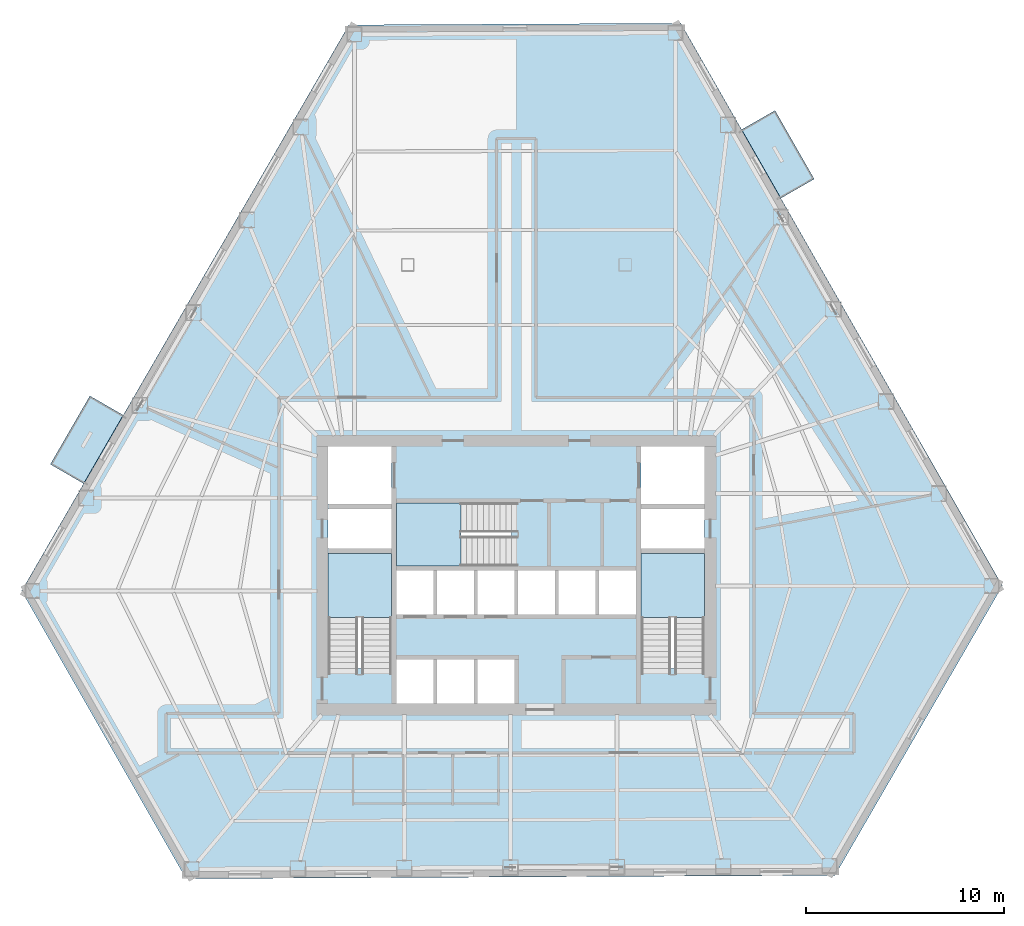
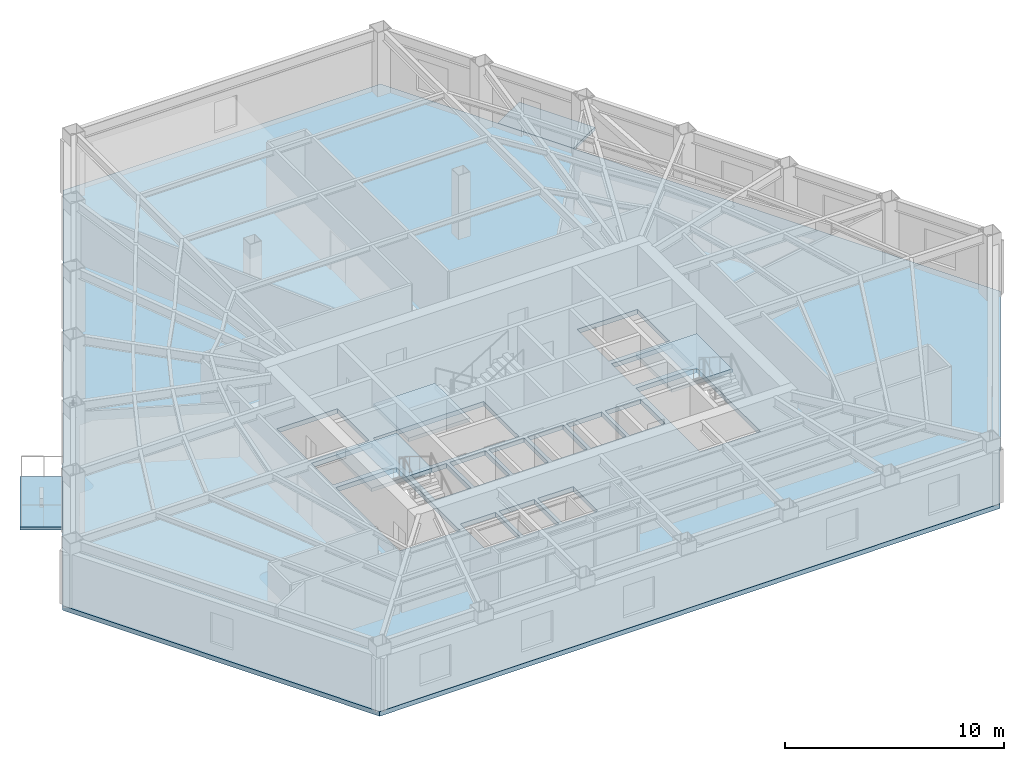
# One storey, part 3 of 11: 6 slabs, 3 elements without a shape of their own.
"""IFC4 building model written with IfcOpenShell, lengths in metres."""

from ifc_helpers import new_model, si_unit, direction, frame, origin, place, context, subcontext, project, spatial, polyline, outline, extrude, material, layer, layer_set, type_object, element, aggregate, save


model = new_model("IFC4")

# Units and contexts
model_context = context("Model", 3, precision=1e-05, world=origin(), true_north=direction((0.0, 1.0)))
body_context = subcontext(model_context, "Body", "Model", "MODEL_VIEW")
ifc_project = project(units=[si_unit("LENGTHUNIT", "METRE"), si_unit("AREAUNIT", "SQUARE_METRE"), si_unit("VOLUMEUNIT", "CUBIC_METRE"), si_unit("PLANEANGLEUNIT", "RADIAN"), si_unit("MASSUNIT", "GRAM", prefix="KILO")], contexts=[model_context])

# Site, building, storey
site_placement = place(None, origin())
site = spatial("IfcSite", under=ifc_project, at=site_placement, CompositionType="ELEMENT")
building_placement = place(site_placement, origin())
building = spatial("IfcBuilding", under=site, at=building_placement, Name="Kavelnor Concourse Tower", CompositionType="ELEMENT")
storey_placement = place(building_placement, frame((0.0, 0.0, 9.85009765625)))
storey = spatial("IfcBuildingStorey", under=building, at=storey_placement, Name="L02", CompositionType="ELEMENT", Elevation=9.85009765625)

# Slabs
ifc_material = material(Name="Concrete C40/50", Category="concrete")
ifc_layer_1 = layer(ifc_material, 0.169921875, Name="Concrete C40/50")
ifc_layer_set_1 = layer_set([ifc_layer_1], Name="Concrete C40/50")
slab_type_1 = type_object("IfcSlabType", Name="SLB-BALCONY-170", PredefinedType="FLOOR", material=ifc_layer_set_1)
slab_1_placement = place(storey_placement, frame((0.0, 0.0, -0.170166015625)))
element("IfcSlab", 1, at=slab_1_placement, inside=storey, type_object=slab_type_1, Name="L02 Cantilevered Tree Balcony Slab 1", PredefinedType="FLOOR", context=body_context, shape_type="SweptSolid", body=[
    extrude(outline(polyline([(51.09423828125, 39.618408203125), (53.0791015625, 36.145751953125), (51.385986328125, 35.177978515625), (49.4013671875, 38.65087890625), (51.09423828125, 39.618408203125)])), origin(), (0.0, 0.0, 1.0), 0.170166015625),
])
slab_2_placement = place(storey_placement, frame((0.0, 0.0, -0.170166015625)))
element("IfcSlab", 2, at=slab_2_placement, inside=storey, type_object=slab_type_1, Name="L02 Cantilevered Tree Balcony Slab 2", PredefinedType="FLOOR", context=body_context, shape_type="SweptSolid", body=[
    extrude(outline(polyline([(14.41357421875, 21.71044921875), (16.416015625, 25.173095703125), (18.10400390625, 24.197021484375), (16.1015625, 20.734375), (14.41357421875, 21.71044921875)])), origin(), (0.0, 0.0, 1.0), 0.170166015625),
])

# Stair, slab
stair_type = type_object("IfcStairType", Name="STR-CORE-1500", PredefinedType="HALF_TURN_STAIR", material=ifc_material)
stair_1_placement = place(storey_placement, origin())
stair_1 = element("IfcStair", 3, at=stair_1_placement, inside=storey, type_object=stair_type, Name="L02 ST1", PredefinedType="HALF_TURN_STAIR")
ifc_layer_2 = layer(ifc_material, 0.199951171875, Name="Concrete C40/50")
ifc_layer_set_2 = layer_set([ifc_layer_2], Name="Concrete C40/50")
slab_type_2 = type_object("IfcSlabType", Name="SLB-LANDING-200", PredefinedType="LANDING", material=ifc_layer_set_2)
slab_3_placement = place(storey_placement, frame((0.0, 0.0, 1.724853515625)))
slab_3 = element("IfcSlab", 4, at=slab_3_placement, type_object=slab_type_2, Name="ST1 landing 1", PredefinedType="LANDING", context=body_context, shape_type="SweptSolid", body=[
    extrude(outline(polyline([(31.679931640625, 13.949951171875), (31.679931640625, 17.199951171875), (28.47998046875, 17.199951171875), (28.47998046875, 13.949951171875), (31.679931640625, 13.949951171875)])), origin(), (0.0, 0.0, 1.0), 0.199951171875),
])
aggregate(stair_1, [slab_3])

stair_2_placement = place(storey_placement, origin())
stair_2 = element("IfcStair", 5, at=stair_2_placement, inside=storey, type_object=stair_type, Name="L02 ST2", PredefinedType="HALF_TURN_STAIR")
slab_4_placement = place(storey_placement, frame((0.0, 0.0, 1.724853515625)))
slab_4 = element("IfcSlab", 6, at=slab_4_placement, type_object=slab_type_2, Name="ST2 landing 1", PredefinedType="LANDING", context=body_context, shape_type="SweptSolid", body=[
    extrude(outline(polyline([(47.52001953125, 13.949951171875), (47.52001953125, 17.199951171875), (44.320068359375, 17.199951171875), (44.320068359375, 13.949951171875), (47.52001953125, 13.949951171875)])), origin(), (0.0, 0.0, 1.0), 0.199951171875),
])
aggregate(stair_2, [slab_4])

stair_3_placement = place(storey_placement, origin())
stair_3 = element("IfcStair", 7, at=stair_3_placement, inside=storey, type_object=stair_type, Name="L02 ST3", PredefinedType="HALF_TURN_STAIR")
slab_5_placement = place(storey_placement, frame((0.0, 0.0, 1.724853515625)))
slab_5 = element("IfcSlab", 8, at=slab_5_placement, type_object=slab_type_2, Name="ST3 landing 1", PredefinedType="LANDING", context=body_context, shape_type="SweptSolid", body=[
    extrude(outline(polyline([(35.18994140625, 19.760009765625), (31.93994140625, 19.760009765625), (31.93994140625, 16.56005859375), (35.18994140625, 16.56005859375), (35.18994140625, 19.760009765625)])), origin(), (0.0, 0.0, 1.0), 0.199951171875),
])
aggregate(stair_3, [slab_5])

# Slab
ifc_layer_3 = layer(ifc_material, 0.260009765625, Name="Concrete C40/50")
ifc_layer_set_3 = layer_set([ifc_layer_3], Name="Concrete C40/50")
slab_type_3 = type_object("IfcSlabType", Name="SLB-OFFICE-260", PredefinedType="FLOOR", material=ifc_layer_set_3)
slab_6_placement = place(storey_placement, frame((0.0, 0.0, -0.260009765625)))
element("IfcSlab", 9, at=slab_6_placement, inside=storey, type_object=slab_type_3, Name="L02 Composite Structural Floor Slab", PredefinedType="FLOOR", context=body_context, shape_type="SweptSolid", body=[
    extrude(outline(polyline([(46.325439453125, 44.033203125), (29.52587890625, 43.947265625), (12.9619140625, 15.30517578125), (21.287353515625, 0.737548828125), (54.12451171875, 0.905517578125), (62.5986328125, 15.558837890625), (46.325439453125, 44.033203125)]), holes=[polyline([(28.47998046875, 11.3798828125), (31.679931640625, 11.3798828125), (31.679931640625, 17.199951171875), (28.47998046875, 17.199951171875), (28.47998046875, 11.3798828125)]), polyline([(44.320068359375, 11.3798828125), (47.52001953125, 11.3798828125), (47.52001953125, 17.199951171875), (44.320068359375, 17.199951171875), (44.320068359375, 11.3798828125)]), polyline([(31.93994140625, 16.56005859375), (37.760009765625, 16.56005859375), (37.760009765625, 19.760009765625), (31.93994140625, 19.760009765625), (31.93994140625, 16.56005859375)]), polyline([(28.47998046875, 19.699951171875), (31.679931640625, 19.699951171875), (31.679931640625, 22.60009765625), (28.47998046875, 22.60009765625), (28.47998046875, 19.699951171875)]), polyline([(44.320068359375, 19.699951171875), (47.52001953125, 19.699951171875), (47.52001953125, 22.60009765625), (44.320068359375, 22.60009765625), (44.320068359375, 19.699951171875)]), polyline([(31.93994140625, 14.10009765625), (33.81005859375, 14.10009765625), (33.81005859375, 16.340087890625), (31.93994140625, 16.340087890625), (31.93994140625, 14.10009765625)]), polyline([(33.989990234375, 14.10009765625), (35.860107421875, 14.10009765625), (35.860107421875, 16.340087890625), (33.989990234375, 16.340087890625), (33.989990234375, 14.10009765625)]), polyline([(36.0400390625, 14.10009765625), (37.909912109375, 14.10009765625), (37.909912109375, 16.340087890625), (36.0400390625, 16.340087890625), (36.0400390625, 14.10009765625)]), polyline([(38.090087890625, 14.10009765625), (39.9599609375, 14.10009765625), (39.9599609375, 16.340087890625), (38.090087890625, 16.340087890625), (38.090087890625, 14.10009765625)]), polyline([(40.139892578125, 14.10009765625), (42.010009765625, 14.10009765625), (42.010009765625, 16.340087890625), (40.139892578125, 16.340087890625), (40.139892578125, 14.10009765625)]), polyline([(42.18994140625, 14.10009765625), (44.06005859375, 14.10009765625), (44.06005859375, 16.340087890625), (42.18994140625, 16.340087890625), (42.18994140625, 14.10009765625)]), polyline([(31.93994140625, 9.60009765625), (33.81005859375, 9.60009765625), (33.81005859375, 11.840087890625), (31.93994140625, 11.840087890625), (31.93994140625, 9.60009765625)]), polyline([(33.989990234375, 9.60009765625), (35.860107421875, 9.60009765625), (35.860107421875, 11.840087890625), (33.989990234375, 11.840087890625), (33.989990234375, 9.60009765625)]), polyline([(36.0400390625, 9.60009765625), (37.909912109375, 9.60009765625), (37.909912109375, 11.840087890625), (36.0400390625, 11.840087890625), (36.0400390625, 9.60009765625)]), polyline([(28.47998046875, 17.4599609375), (31.679931640625, 17.4599609375), (31.679931640625, 19.43994140625), (28.47998046875, 19.43994140625), (28.47998046875, 17.4599609375)]), polyline([(44.320068359375, 17.4599609375), (47.52001953125, 17.4599609375), (47.52001953125, 19.43994140625), (44.320068359375, 19.43994140625), (44.320068359375, 17.4599609375)])]), origin(), (0.0, 0.0, 1.0), 0.260009765625),
])

save(model, "model.ifc")
